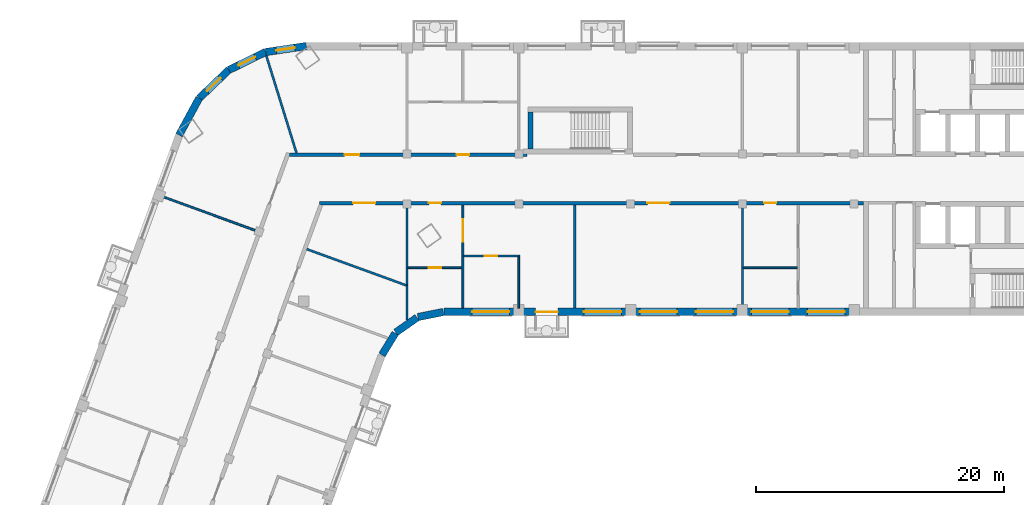
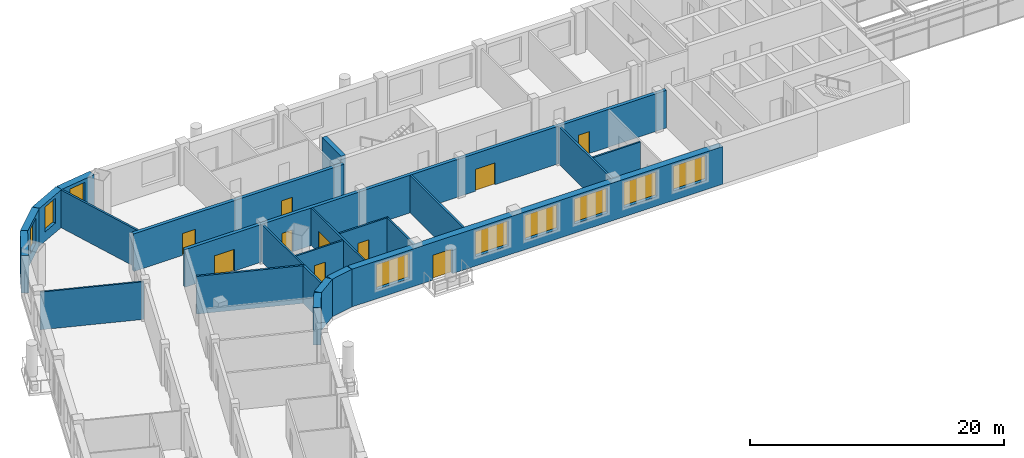
# One storey, part 6 of 12: 23 walls, 10 doors, 9 windows, 19 openings.
"""IFC4 building model written with IfcOpenShell, lengths in metres."""

from ifc_helpers import new_model, si_unit, direction, frame, frame_2d, origin, place, context, subcontext, project, spatial, rectangle, extrude, material, layer, layer_set, type_object, element, fill, save


model = new_model("IFC4")

# Units and contexts
model_context = context("Model", 3, precision=1e-05, world=origin(), true_north=direction((0.0, 1.0)))
body_context = subcontext(model_context, "Body", "Model", "MODEL_VIEW")
ifc_project = project(units=[si_unit("LENGTHUNIT", "METRE"), si_unit("AREAUNIT", "SQUARE_METRE"), si_unit("VOLUMEUNIT", "CUBIC_METRE"), si_unit("PLANEANGLEUNIT", "RADIAN"), si_unit("MASSUNIT", "GRAM", prefix="KILO")], contexts=[model_context])

# Site, building, storey
site_placement = place(None, origin())
site = spatial("IfcSite", under=ifc_project, at=site_placement, CompositionType="ELEMENT")
building_placement = place(site_placement, origin())
building = spatial("IfcBuilding", under=site, at=building_placement, Name="Skarvind Civic Tower", CompositionType="ELEMENT")
storey_placement = place(building_placement, frame((0.0, 0.0, 117.0)))
storey = spatial("IfcBuildingStorey", under=building, at=storey_placement, Name="L27", CompositionType="ELEMENT", Elevation=117.0)

# Walls
ifc_material_1 = material(Name="Acoustic gypsum board on steel studs", Category="steel")
ifc_layer_1 = layer(ifc_material_1, 0.175048828125)
ifc_layer_set_1 = layer_set([ifc_layer_1], Name="ACOUSTIC MEETING-ROOM PARTITION 175")
wall_type_1 = type_object("IfcWallType", Name="ACOUSTIC MEETING-ROOM PARTITION 175", PredefinedType="PARTITIONING", material=ifc_layer_set_1)
wall_1_placement = place(storey_placement, frame((42.919921875, 137.9208984375, 0.0), z_axis=(0.0, 0.0, 1.0), x_axis=(0.296600629622, -0.9550016055, 0.0)))
element("IfcWall", 1, at=wall_1_placement, inside=storey, type_object=wall_type_1, Name="Partition 27.011", PredefinedType="PARTITIONING", context=body_context, shape_type="SweptSolid", body=[
    extrude(rectangle(XDim=8.19677734375, YDim=0.175048828125, at=frame_2d((4.098388671875, 0.0))), origin(), (0.0, 0.0, 1.0), 3.625),
])
wall_2_placement = place(storey_placement, frame((54.25, 116.636962890625, 0.0), z_axis=(0.0, 0.0, 1.0), x_axis=(0.0, 1.0, 0.0)))
element("IfcWall", 2, at=wall_2_placement, inside=storey, type_object=wall_type_1, Name="Partition 27.017", PredefinedType="PARTITIONING", context=body_context, shape_type="SweptSolid", body=[
    extrude(rectangle(XDim=2.776123046875, YDim=0.175048828125, at=frame_2d((1.38818359375, 0.0))), origin(), (0.0, 0.0, 1.0), 3.625),
])
wall_3_placement = place(storey_placement, frame((54.320068359375, 119.384033203125, 0.0), z_axis=(0.0, 0.0, 1.0), x_axis=(-0.939632908118, 0.342184157994, 0.0)))
element("IfcWall", 3, at=wall_3_placement, inside=storey, type_object=wall_type_1, Name="Partition 27.018", PredefinedType="PARTITIONING", context=body_context, shape_type="SweptSolid", body=[
    extrude(rectangle(XDim=8.665283203125, YDim=0.175048828125, at=frame_2d((4.33251953125, 0.0))), origin(), (0.0, 0.0, 1.0), 3.625),
])
for number, where, z_axis, x_axis, name in (
    (4, (67.75, 117.60009765625, 0.0), (0.0, 0.0, 1.0), (0.0, 1.0, 0.0), "Partition 27.028"),
    (5, (81.25, 117.60009765625, 0.0), (0.0, 0.0, 1.0), (0.0, 1.0, 0.0), "Partition 27.030"),
):
    element("IfcWall", number, at=place(storey_placement, frame(where, z_axis=z_axis, x_axis=x_axis)), inside=storey, type_object=wall_type_1, Name=name, PredefinedType="PARTITIONING", context=body_context, shape_type="SweptSolid", body=[
        extrude(rectangle(XDim=8.2998046875, YDim=0.175048828125, at=frame_2d((4.14990234375, 0.0))), origin(), (0.0, 0.0, 1.0), 3.625),
    ])

# Wall, openings, doors
ifc_material_2 = material(Name="Fire-rated gypsum board on steel studs", Category="steel")
ifc_layer_2 = layer(ifc_material_2, 0.300048828125)
ifc_layer_set_2 = layer_set([ifc_layer_2], Name="CORRIDOR WALL 300")
wall_type_2 = type_object("IfcWallType", Name="CORRIDOR WALL 300", PredefinedType="PARTITIONING", material=ifc_layer_set_2)
wall_4_placement = place(storey_placement, frame((44.784912109375, 129.949951171875, 0.0), z_axis=(0.0, 0.0, 1.0), x_axis=(1.0, 0.0, 0.0)))
wall_4 = element("IfcWall", 6, at=wall_4_placement, inside=storey, type_object=wall_type_2, Name="Partition 27.014", PredefinedType="PARTITIONING", context=body_context, shape_type="SweptSolid", body=[
    extrude(rectangle(XDim=19.114990234375, YDim=0.300048828125, at=frame_2d((9.5576171875, 0.0))), origin(), (0.0, 0.0, 1.0), 3.625),
])
opening_1_placement = place(wall_4_placement, frame((13.465087890625, 0.0, 0.0)))
opening_1 = element("IfcOpeningElement", 7, at=opening_1_placement, cuts=wall_4, Name="Opening L27-D006", PredefinedType="OPENING", context=body_context, shape_type="SweptSolid", body=[
    extrude(rectangle(XDim=1.0, YDim=2.10009765625, at=frame_2d((0.5, 1.050048828125))), frame((0.0, 0.159912109375, 0.0), z_axis=(0.0, -1.0, 0.0), x_axis=(1.0, 0.0, 0.0)), (0.0, 0.0, 1.0), 0.320068359375),
])
opening_2_placement = place(wall_4_placement, frame((4.4375, 0.0, 0.0)))
opening_2 = element("IfcOpeningElement", 8, at=opening_2_placement, cuts=wall_4, Name="Opening L27-D027", PredefinedType="OPENING", context=body_context, shape_type="SweptSolid", body=[
    extrude(rectangle(XDim=1.199951171875, YDim=2.10009765625, at=frame_2d((0.60009765625, 1.050048828125))), frame((0.0, 0.159912109375, 0.0), z_axis=(0.0, -1.0, 0.0), x_axis=(1.0, 0.0, 0.0)), (0.0, 0.0, 1.0), 0.320068359375),
])
ifc_material_3 = material(Name="Fire-rated timber door leaf", Category="wood")
door_type_1 = type_object("IfcDoorType", Name="FD1 1000x2100", OperationType="NOTDEFINED", PredefinedType="DOOR", material=ifc_material_3)
door_1_placement = place(opening_1_placement, origin())
door_1 = element("IfcDoor", 9, at=door_1_placement, inside=storey, type_object=door_type_1, Name="Door L27-D006", OperationType="SINGLE_SWING_LEFT", OverallHeight=2.10009765625, OverallWidth=1.0, PredefinedType="DOOR", context=body_context, shape_type="SweptSolid", body=[
    extrude(rectangle(XDim=1.0, YDim=2.10009765625, at=frame_2d((0.5, 1.050048828125))), frame((0.0, 0.02490234375, 0.0), z_axis=(0.0, -1.0, 0.0), x_axis=(1.0, 0.0, 0.0)), (0.0, 0.0, 1.0), 0.050048828125),
])
fill(opening_1, door_1)
door_type_2 = type_object("IfcDoorType", Name="FD6 1200x2100 DOUBLE", OperationType="NOTDEFINED", PredefinedType="DOOR", material=ifc_material_3)
door_2_placement = place(opening_2_placement, origin())
door_2 = element("IfcDoor", 10, at=door_2_placement, inside=storey, type_object=door_type_2, Name="Door L27-D027", OperationType="DOUBLE_DOOR_SINGLE_SWING", OverallHeight=2.10009765625, OverallWidth=1.199951171875, PredefinedType="DOOR", context=body_context, shape_type="SweptSolid", body=[
    extrude(rectangle(XDim=1.199951171875, YDim=2.10009765625, at=frame_2d((0.60009765625, 1.050048828125))), frame((0.0, 0.02490234375, 0.0), z_axis=(0.0, -1.0, 0.0), x_axis=(1.0, 0.0, 0.0)), (0.0, 0.0, 1.0), 0.050048828125),
])
fill(opening_2, door_2)

wall_5_placement = place(storey_placement, frame((91.0, 126.050048828125, 0.0), z_axis=(0.0, 0.0, 1.0), x_axis=(-1.0, 0.0, 0.0)))
wall_5 = element("IfcWall", 11, at=wall_5_placement, inside=storey, type_object=wall_type_2, Name="Partition 27.035", PredefinedType="PARTITIONING", context=body_context, shape_type="SweptSolid", body=[
    extrude(rectangle(XDim=43.784912109375, YDim=0.300048828125, at=frame_2d((21.892578125, 0.0))), origin(), (0.0, 0.0, 1.0), 3.625),
])
opening_3_placement = place(wall_5_placement, frame((7.0, 0.0, 0.0)))
opening_3 = element("IfcOpeningElement", 12, at=opening_3_placement, cuts=wall_5, Name="Opening L27-D007", PredefinedType="OPENING", context=body_context, shape_type="SweptSolid", body=[
    extrude(rectangle(XDim=1.0, YDim=2.10009765625, at=frame_2d((0.5, 1.050048828125))), frame((0.0, 0.159912109375, 0.0), z_axis=(0.0, -1.0, 0.0), x_axis=(1.0, 0.0, 0.0)), (0.0, 0.0, 1.0), 0.320068359375),
])
opening_4_placement = place(wall_5_placement, frame((15.60009765625, 0.0, 0.0)))
opening_4 = element("IfcOpeningElement", 13, at=opening_4_placement, cuts=wall_5, Name="Opening L27-D010", PredefinedType="OPENING", context=body_context, shape_type="SweptSolid", body=[
    extrude(rectangle(XDim=1.800048828125, YDim=2.10009765625, at=frame_2d((0.89990234375, 1.050048828125))), frame((0.0, 0.159912109375, 0.0), z_axis=(0.0, -1.0, 0.0), x_axis=(1.0, 0.0, 0.0)), (0.0, 0.0, 1.0), 0.320068359375),
])
opening_5_placement = place(wall_5_placement, frame((34.0, 0.0, 0.0)))
opening_5 = element("IfcOpeningElement", 14, at=opening_5_placement, cuts=wall_5, Name="Opening L27-D011", PredefinedType="OPENING", context=body_context, shape_type="SweptSolid", body=[
    extrude(rectangle(XDim=1.0, YDim=2.10009765625, at=frame_2d((0.5, 1.050048828125))), frame((0.0, 0.159912109375, 0.0), z_axis=(0.0, -1.0, 0.0), x_axis=(1.0, 0.0, 0.0)), (0.0, 0.0, 1.0), 0.320068359375),
])
opening_6_placement = place(wall_5_placement, frame((39.2958984375, 0.0, 0.0)))
opening_6 = element("IfcOpeningElement", 15, at=opening_6_placement, cuts=wall_5, Name="Opening L27-D028", PredefinedType="OPENING", context=body_context, shape_type="SweptSolid", body=[
    extrude(rectangle(XDim=1.800048828125, YDim=2.10009765625, at=frame_2d((0.89990234375, 1.050048828125))), frame((0.0, 0.159912109375, 0.0), z_axis=(0.0, -1.0, 0.0), x_axis=(1.0, 0.0, 0.0)), (0.0, 0.0, 1.0), 0.320068359375),
])
door_3_placement = place(opening_3_placement, origin())
door_3 = element("IfcDoor", 16, at=door_3_placement, inside=storey, type_object=door_type_1, Name="Door L27-D007", OperationType="SINGLE_SWING_RIGHT", OverallHeight=2.10009765625, OverallWidth=1.0, PredefinedType="DOOR", context=body_context, shape_type="SweptSolid", body=[
    extrude(rectangle(XDim=1.0, YDim=2.10009765625, at=frame_2d((0.5, 1.050048828125))), frame((0.0, 0.02490234375, 0.0), z_axis=(0.0, -1.0, 0.0), x_axis=(1.0, 0.0, 0.0)), (0.0, 0.0, 1.0), 0.050048828125),
])
fill(opening_3, door_3)
door_4_placement = place(opening_5_placement, origin())
door_4 = element("IfcDoor", 17, at=door_4_placement, inside=storey, type_object=door_type_1, Name="Door L27-D011", OperationType="SINGLE_SWING_LEFT", OverallHeight=2.10009765625, OverallWidth=1.0, PredefinedType="DOOR", context=body_context, shape_type="SweptSolid", body=[
    extrude(rectangle(XDim=1.0, YDim=2.10009765625, at=frame_2d((0.5, 1.050048828125))), frame((0.0, 0.02490234375, 0.0), z_axis=(0.0, -1.0, 0.0), x_axis=(1.0, 0.0, 0.0)), (0.0, 0.0, 1.0), 0.050048828125),
])
fill(opening_5, door_4)
door_type_3 = type_object("IfcDoorType", Name="FD4 1800x2100", OperationType="NOTDEFINED", PredefinedType="DOOR", material=ifc_material_3)
door_5_placement = place(opening_4_placement, origin())
door_5 = element("IfcDoor", 18, at=door_5_placement, inside=storey, type_object=door_type_3, Name="Door L27-D010", OperationType="DOUBLE_DOOR_SINGLE_SWING", OverallHeight=2.10009765625, OverallWidth=1.800048828125, PredefinedType="DOOR", context=body_context, shape_type="SweptSolid", body=[
    extrude(rectangle(XDim=1.800048828125, YDim=2.10009765625, at=frame_2d((0.89990234375, 1.050048828125))), frame((0.0, 0.02490234375, 0.0), z_axis=(0.0, -1.0, 0.0), x_axis=(1.0, 0.0, 0.0)), (0.0, 0.0, 1.0), 0.050048828125),
])
fill(opening_4, door_5)
door_6_placement = place(opening_6_placement, origin())
door_6 = element("IfcDoor", 19, at=door_6_placement, inside=storey, type_object=door_type_3, Name="Door L27-D028", OperationType="DOUBLE_DOOR_SINGLE_SWING", OverallHeight=2.10009765625, OverallWidth=1.800048828125, PredefinedType="DOOR", context=body_context, shape_type="SweptSolid", body=[
    extrude(rectangle(XDim=1.800048828125, YDim=2.10009765625, at=frame_2d((0.89990234375, 1.050048828125))), frame((0.0, 0.02490234375, 0.0), z_axis=(0.0, -1.0, 0.0), x_axis=(1.0, 0.0, 0.0)), (0.0, 0.0, 1.0), 0.050048828125),
])
fill(opening_6, door_6)

# Walls
ifc_material_4 = material(Name="Concrete C80", Category="concrete")
ifc_layer_3 = layer(ifc_material_4, 0.39990234375)
ifc_layer_set_3 = layer_set([ifc_layer_3], Name="Core wall 400 C80")
wall_type_3 = type_object("IfcWallType", Name="Core wall 400 C80", PredefinedType="SHEAR", material=ifc_layer_set_3)
wall_6_placement = place(storey_placement, frame((64.199951171875, 130.39990234375, 0.0), z_axis=(0.0, 0.0, 1.0), x_axis=(0.0, 1.0, 0.0)))
element("IfcWall", 20, at=wall_6_placement, inside=storey, type_object=wall_type_3, Name="Core wall CM west L27", PredefinedType="SHEAR", context=body_context, shape_type="SweptSolid", body=[
    extrude(rectangle(XDim=3.0, YDim=0.39990234375, at=frame_2d((1.5, 0.0))), origin(), (0.0, 0.0, 1.0), 4.0),
])
ifc_material_5 = material(Name="Plasterboard partition on steel studs", Category="steel")
ifc_layer_4 = layer(ifc_material_5, 0.14990234375)
ifc_layer_set_4 = layer_set([ifc_layer_4], Name="PARTITION 150")
wall_type_4 = type_object("IfcWallType", Name="PARTITION 150", PredefinedType="PARTITIONING", material=ifc_layer_set_4)
wall_7_placement = place(storey_placement, frame((42.23095703125, 123.784912109375, 0.0), z_axis=(0.0, 0.0, 1.0), x_axis=(-0.939687752599, 0.342033518263, 0.0)))
element("IfcWall", 21, at=wall_7_placement, inside=storey, type_object=wall_type_4, Name="Partition 27.010", PredefinedType="PARTITIONING", context=body_context, shape_type="SweptSolid", body=[
    extrude(rectangle(XDim=8.30078125, YDim=0.14990234375, at=frame_2d((4.150390625, 0.0))), origin(), (0.0, 0.0, 1.0), 3.625),
])
wall_8_placement = place(storey_placement, frame((54.25, 119.498046875, 0.0), z_axis=(0.0, 0.0, 1.0), x_axis=(0.0, 1.0, 0.0)))
element("IfcWall", 22, at=wall_8_placement, inside=storey, type_object=wall_type_4, Name="Partition 27.019", PredefinedType="PARTITIONING", context=body_context, shape_type="SweptSolid", body=[
    extrude(rectangle(XDim=6.40185546875, YDim=0.14990234375, at=frame_2d((3.200927734375, 0.0))), origin(), (0.0, 0.0, 1.0), 3.625),
])

# Wall, opening, door
wall_9_placement = place(storey_placement, frame((54.324951171875, 120.85009765625, 0.0), z_axis=(0.0, 0.0, 1.0), x_axis=(1.0, 0.0, 0.0)))
wall_9 = element("IfcWall", 23, at=wall_9_placement, inside=storey, type_object=wall_type_4, Name="Partition 27.020", PredefinedType="PARTITIONING", context=body_context, shape_type="SweptSolid", body=[
    extrude(rectangle(XDim=4.35009765625, YDim=0.14990234375, at=frame_2d((2.175048828125, 0.0))), origin(), (0.0, 0.0, 1.0), 3.625),
])
opening_7_placement = place(wall_9_placement, frame((1.675048828125, 0.0, 0.0)))
opening_7 = element("IfcOpeningElement", 24, at=opening_7_placement, cuts=wall_9, Name="Opening L27-D013", PredefinedType="OPENING", context=body_context, shape_type="SweptSolid", body=[
    extrude(rectangle(XDim=1.0, YDim=2.10009765625, at=frame_2d((0.5, 1.050048828125))), frame((0.0, 0.0849609375, 0.0), z_axis=(0.0, -1.0, 0.0), x_axis=(1.0, 0.0, 0.0)), (0.0, 0.0, 1.0), 0.169921875),
])
ifc_material_6 = material(Name="Timber door leaf", Category="wood")
door_type_4 = type_object("IfcDoorType", Name="D1 1000x2100", OperationType="NOTDEFINED", PredefinedType="DOOR", material=ifc_material_6)
door_7_placement = place(opening_7_placement, origin())
door_7 = element("IfcDoor", 25, at=door_7_placement, inside=storey, type_object=door_type_4, Name="Door L27-D013", OperationType="SINGLE_SWING_LEFT", OverallHeight=2.10009765625, OverallWidth=1.0, PredefinedType="DOOR", context=body_context, shape_type="SweptSolid", body=[
    extrude(rectangle(XDim=1.0, YDim=2.10009765625, at=frame_2d((0.5, 1.050048828125))), frame((0.0, 0.02490234375, 0.0), z_axis=(0.0, -1.0, 0.0), x_axis=(1.0, 0.0, 0.0)), (0.0, 0.0, 1.0), 0.050048828125),
])
fill(opening_7, door_7)

wall_10_placement = place(storey_placement, frame((58.75, 117.60009765625, 0.0), z_axis=(0.0, 0.0, 1.0), x_axis=(0.0, 1.0, 0.0)))
wall_10 = element("IfcWall", 26, at=wall_10_placement, inside=storey, type_object=wall_type_4, Name="Partition 27.023", PredefinedType="PARTITIONING", context=body_context, shape_type="SweptSolid", body=[
    extrude(rectangle(XDim=8.2998046875, YDim=0.14990234375, at=frame_2d((4.14990234375, 0.0))), origin(), (0.0, 0.0, 1.0), 3.625),
])
opening_8_placement = place(wall_10_placement, frame((5.360107421875, 0.0, 0.0)))
opening_8 = element("IfcOpeningElement", 27, at=opening_8_placement, cuts=wall_10, Name="Opening L27-D014", PredefinedType="OPENING", context=body_context, shape_type="SweptSolid", body=[
    extrude(rectangle(XDim=1.800048828125, YDim=2.10009765625, at=frame_2d((0.89990234375, 1.050048828125))), frame((0.0, 0.0849609375, 0.0), z_axis=(0.0, -1.0, 0.0), x_axis=(1.0, 0.0, 0.0)), (0.0, 0.0, 1.0), 0.169921875),
])
door_type_5 = type_object("IfcDoorType", Name="D4 1800x2100", OperationType="NOTDEFINED", PredefinedType="DOOR", material=ifc_material_6)
door_8_placement = place(opening_8_placement, origin())
door_8 = element("IfcDoor", 28, at=door_8_placement, inside=storey, type_object=door_type_5, Name="Door L27-D014", OperationType="DOUBLE_DOOR_SINGLE_SWING", OverallHeight=2.10009765625, OverallWidth=1.800048828125, PredefinedType="DOOR", context=body_context, shape_type="SweptSolid", body=[
    extrude(rectangle(XDim=1.800048828125, YDim=2.10009765625, at=frame_2d((0.89990234375, 1.050048828125))), frame((0.0, 0.02490234375, 0.0), z_axis=(0.0, -1.0, 0.0), x_axis=(1.0, 0.0, 0.0)), (0.0, 0.0, 1.0), 0.050048828125),
])
fill(opening_8, door_8)

# Wall
wall_11_placement = place(storey_placement, frame((63.25, 117.60009765625, 0.0), z_axis=(0.0, 0.0, 1.0), x_axis=(0.0, 1.0, 0.0)))
element("IfcWall", 29, at=wall_11_placement, inside=storey, type_object=wall_type_4, Name="Partition 27.025", PredefinedType="PARTITIONING", context=body_context, shape_type="SweptSolid", body=[
    extrude(rectangle(XDim=4.125, YDim=0.14990234375, at=frame_2d((2.0625, 0.0))), origin(), (0.0, 0.0, 1.0), 3.625),
])

# Wall, opening, door
wall_12_placement = place(storey_placement, frame((58.824951171875, 121.800048828125, 0.0), z_axis=(0.0, 0.0, 1.0), x_axis=(1.0, 0.0, 0.0)))
wall_12 = element("IfcWall", 30, at=wall_12_placement, inside=storey, type_object=wall_type_4, Name="Partition 27.026", PredefinedType="PARTITIONING", context=body_context, shape_type="SweptSolid", body=[
    extrude(rectangle(XDim=4.5, YDim=0.14990234375, at=frame_2d((2.25, 0.0))), origin(), (0.0, 0.0, 1.0), 3.625),
])
opening_9_placement = place(wall_12_placement, frame((1.702392578125, 0.0, 0.0)))
opening_9 = element("IfcOpeningElement", 31, at=opening_9_placement, cuts=wall_12, Name="Opening L27-D012", PredefinedType="OPENING", context=body_context, shape_type="SweptSolid", body=[
    extrude(rectangle(XDim=1.0, YDim=2.10009765625, at=frame_2d((0.5, 1.050048828125))), frame((0.0, 0.0849609375, 0.0), z_axis=(0.0, -1.0, 0.0), x_axis=(1.0, 0.0, 0.0)), (0.0, 0.0, 1.0), 0.169921875),
])
door_9_placement = place(opening_9_placement, origin())
door_9 = element("IfcDoor", 32, at=door_9_placement, inside=storey, type_object=door_type_4, Name="Door L27-D012", OperationType="SINGLE_SWING_LEFT", OverallHeight=2.10009765625, OverallWidth=1.0, PredefinedType="DOOR", context=body_context, shape_type="SweptSolid", body=[
    extrude(rectangle(XDim=1.0, YDim=2.10009765625, at=frame_2d((0.5, 1.050048828125))), frame((0.0, 0.02490234375, 0.0), z_axis=(0.0, -1.0, 0.0), x_axis=(1.0, 0.0, 0.0)), (0.0, 0.0, 1.0), 0.050048828125),
])
fill(opening_9, door_9)

# Walls
wall_13_placement = place(storey_placement, frame((81.337890625, 120.85009765625, 0.0), z_axis=(0.0, 0.0, 1.0), x_axis=(1.0, 0.0, 0.0)))
element("IfcWall", 33, at=wall_13_placement, inside=storey, type_object=wall_type_4, Name="Partition 27.031", PredefinedType="PARTITIONING", context=body_context, shape_type="SweptSolid", body=[
    extrude(rectangle(XDim=4.337158203125, YDim=0.14990234375, at=frame_2d((2.16845703125, 0.0))), origin(), (0.0, 0.0, 1.0), 3.625),
])
ifc_material_7 = material(Name="Limestone masonry cladding on insulated backing", Category="masonry")
ifc_layer_5 = layer(ifc_material_7, 0.60009765625)
ifc_layer_set_5 = layer_set([ifc_layer_5], Name="WX1 STONE FACADE WALL 600")
wall_type_5 = type_object("IfcWallType", Name="WX1 STONE FACADE WALL 600", PredefinedType="SOLIDWALL", material=ifc_layer_set_5)
wall_14_placement = place(storey_placement, frame((53.30517578125, 115.578369140625, 0.0), z_axis=(0.0, 0.0, 1.0), x_axis=(-0.522402266438, -0.852699168535, 0.0)))
element("IfcWall", 34, at=wall_14_placement, inside=storey, type_object=wall_type_5, Name="STONE FACADE WALL", PredefinedType="SOLIDWALL", context=body_context, shape_type="SweptSolid", body=[
    extrude(rectangle(XDim=2.042236328125, YDim=0.60009765625, at=frame_2d((1.02099609375, 0.0))), origin(), (0.0, 0.0, 1.0), 3.625),
])
for number, where, z_axis, x_axis, name in (
    (35, (55.061767578125, 116.8388671875, 0.0), (0.0, 0.0, 1.0), (-0.819122269495, -0.573618956815, 0.0), "STONE FACADE WALL"),
    (36, (57.17529296875, 117.2939453125, 0.0), (0.0, 0.0, 1.0), (-0.97996099083, -0.19918949885, 0.0), "STONE FACADE WALL"),
):
    element("IfcWall", number, at=place(storey_placement, frame(where, z_axis=z_axis, x_axis=x_axis)), inside=storey, type_object=wall_type_5, Name=name, PredefinedType="SOLIDWALL", context=body_context, shape_type="SweptSolid", body=[
        extrude(rectangle(XDim=2.09228515625, YDim=0.60009765625, at=frame_2d((1.046142578125, 0.0))), origin(), (0.0, 0.0, 1.0), 3.625),
    ])

# Wall, openings, door, windows
wall_15_placement = place(storey_placement, frame((90.97998046875, 117.300048828125, 0.0), z_axis=(0.0, 0.0, 1.0), x_axis=(-1.0, 0.0, 0.0)))
wall_15 = element("IfcWall", 37, at=wall_15_placement, inside=storey, type_object=wall_type_5, Name="STONE FACADE WALL", PredefinedType="SOLIDWALL", context=body_context, shape_type="SweptSolid", body=[
    extrude(rectangle(XDim=33.744873046875, YDim=0.60009765625, at=frame_2d((16.87255859375, 0.0))), origin(), (0.0, 0.0, 1.0), 3.625),
])
opening_10_placement = place(wall_15_placement, frame((1.47998046875, 0.0, 0.89990234375)))
opening_10 = element("IfcOpeningElement", 38, at=opening_10_placement, cuts=wall_15, Name="Opening WN1", PredefinedType="OPENING", context=body_context, shape_type="SweptSolid", body=[
    extrude(rectangle(XDim=3.0, YDim=2.39990234375, at=frame_2d((1.5, 1.199951171875))), frame((0.0, 0.31005859375, 0.0), z_axis=(0.0, -1.0, 0.0), x_axis=(1.0, 0.0, 0.0)), (0.0, 0.0, 1.0), 0.6201171875),
])
opening_11_placement = place(wall_15_placement, frame((5.97998046875, 0.0, 0.89990234375)))
opening_11 = element("IfcOpeningElement", 39, at=opening_11_placement, cuts=wall_15, Name="Opening WN1", PredefinedType="OPENING", context=body_context, shape_type="SweptSolid", body=[
    extrude(rectangle(XDim=3.0, YDim=2.39990234375, at=frame_2d((1.5, 1.199951171875))), frame((0.0, 0.31005859375, 0.0), z_axis=(0.0, -1.0, 0.0), x_axis=(1.0, 0.0, 0.0)), (0.0, 0.0, 1.0), 0.6201171875),
])
opening_12_placement = place(wall_15_placement, frame((10.47998046875, 0.0, 0.89990234375)))
opening_12 = element("IfcOpeningElement", 40, at=opening_12_placement, cuts=wall_15, Name="Opening WN1", PredefinedType="OPENING", context=body_context, shape_type="SweptSolid", body=[
    extrude(rectangle(XDim=3.0, YDim=2.39990234375, at=frame_2d((1.5, 1.199951171875))), frame((0.0, 0.31005859375, 0.0), z_axis=(0.0, -1.0, 0.0), x_axis=(1.0, 0.0, 0.0)), (0.0, 0.0, 1.0), 0.6201171875),
])
opening_13_placement = place(wall_15_placement, frame((14.97998046875, 0.0, 0.89990234375)))
opening_13 = element("IfcOpeningElement", 41, at=opening_13_placement, cuts=wall_15, Name="Opening WN1", PredefinedType="OPENING", context=body_context, shape_type="SweptSolid", body=[
    extrude(rectangle(XDim=3.0, YDim=2.39990234375, at=frame_2d((1.5, 1.199951171875))), frame((0.0, 0.31005859375, 0.0), z_axis=(0.0, -1.0, 0.0), x_axis=(1.0, 0.0, 0.0)), (0.0, 0.0, 1.0), 0.6201171875),
])
opening_14_placement = place(wall_15_placement, frame((19.47998046875, 0.0, 0.89990234375)))
opening_14 = element("IfcOpeningElement", 42, at=opening_14_placement, cuts=wall_15, Name="Opening WN1", PredefinedType="OPENING", context=body_context, shape_type="SweptSolid", body=[
    extrude(rectangle(XDim=3.0, YDim=2.39990234375, at=frame_2d((1.5, 1.199951171875))), frame((0.0, 0.31005859375, 0.0), z_axis=(0.0, -1.0, 0.0), x_axis=(1.0, 0.0, 0.0)), (0.0, 0.0, 1.0), 0.6201171875),
])
opening_15_placement = place(wall_15_placement, frame((24.580078125, 0.0, 0.0)))
opening_15 = element("IfcOpeningElement", 43, at=opening_15_placement, cuts=wall_15, Name="Opening DX3", PredefinedType="OPENING", context=body_context, shape_type="SweptSolid", body=[
    extrude(rectangle(XDim=1.800048828125, YDim=2.39990234375, at=frame_2d((0.89990234375, 1.199951171875))), frame((0.0, 0.31005859375, 0.0), z_axis=(0.0, -1.0, 0.0), x_axis=(1.0, 0.0, 0.0)), (0.0, 0.0, 1.0), 0.6201171875),
])
opening_16_placement = place(wall_15_placement, frame((28.47998046875, 0.0, 0.89990234375)))
opening_16 = element("IfcOpeningElement", 44, at=opening_16_placement, cuts=wall_15, Name="Opening WN1", PredefinedType="OPENING", context=body_context, shape_type="SweptSolid", body=[
    extrude(rectangle(XDim=3.0, YDim=2.39990234375, at=frame_2d((1.5, 1.199951171875))), frame((0.0, 0.31005859375, 0.0), z_axis=(0.0, -1.0, 0.0), x_axis=(1.0, 0.0, 0.0)), (0.0, 0.0, 1.0), 0.6201171875),
])
ifc_material_8 = material(Name="Timber and glass doorset", Category="wood")
door_type_6 = type_object("IfcDoorType", Name="DX3 TERRACE DOORS 1800 x 2400", OperationType="NOTDEFINED", PredefinedType="DOOR", material=ifc_material_8)
door_10_placement = place(opening_15_placement, origin())
door_10 = element("IfcDoor", 45, at=door_10_placement, inside=storey, type_object=door_type_6, Name="TERRACE DOORS", OperationType="DOUBLE_DOOR_SINGLE_SWING", OverallHeight=2.39990234375, OverallWidth=1.800048828125, PredefinedType="DOOR", context=body_context, shape_type="SweptSolid", body=[
    extrude(rectangle(XDim=1.800048828125, YDim=2.39990234375, at=frame_2d((0.89990234375, 1.199951171875))), frame((0.0, 0.02490234375, 0.0), z_axis=(0.0, -1.0, 0.0), x_axis=(1.0, 0.0, 0.0)), (0.0, 0.0, 1.0), 0.050048828125),
])
fill(opening_15, door_10)
ifc_material_9 = material(Name="Timber frame, double glazing, timber-lined reveal", Category="wood")
window_type_1 = type_object("IfcWindowType", Name="WN1 PUNCHED STONE WINDOW 3000 x 2400", PartitioningType="SINGLE_PANEL", PredefinedType="WINDOW", material=ifc_material_9)
window_1_placement = place(opening_10_placement, origin())
window_1 = element("IfcWindow", 46, at=window_1_placement, inside=storey, type_object=window_type_1, Name="WN1 WINDOW", OverallHeight=2.39990234375, OverallWidth=3.0, PartitioningType="SINGLE_PANEL", PredefinedType="WINDOW", context=body_context, shape_type="SweptSolid", body=[
    extrude(rectangle(XDim=3.0, YDim=2.39990234375, at=frame_2d((1.5, 1.199951171875))), frame((0.0, 0.030029296875, 0.0), z_axis=(0.0, -1.0, 0.0), x_axis=(1.0, 0.0, 0.0)), (0.0, 0.0, 1.0), 0.06005859375),
])
fill(opening_10, window_1)
window_2_placement = place(opening_11_placement, origin())
window_2 = element("IfcWindow", 47, at=window_2_placement, inside=storey, type_object=window_type_1, Name="WN1 WINDOW", OverallHeight=2.39990234375, OverallWidth=3.0, PartitioningType="SINGLE_PANEL", PredefinedType="WINDOW", context=body_context, shape_type="SweptSolid", body=[
    extrude(rectangle(XDim=3.0, YDim=2.39990234375, at=frame_2d((1.5, 1.199951171875))), frame((0.0, 0.030029296875, 0.0), z_axis=(0.0, -1.0, 0.0), x_axis=(1.0, 0.0, 0.0)), (0.0, 0.0, 1.0), 0.06005859375),
])
fill(opening_11, window_2)
window_3_placement = place(opening_12_placement, origin())
window_3 = element("IfcWindow", 48, at=window_3_placement, inside=storey, type_object=window_type_1, Name="WN1 WINDOW", OverallHeight=2.39990234375, OverallWidth=3.0, PartitioningType="SINGLE_PANEL", PredefinedType="WINDOW", context=body_context, shape_type="SweptSolid", body=[
    extrude(rectangle(XDim=3.0, YDim=2.39990234375, at=frame_2d((1.5, 1.199951171875))), frame((0.0, 0.030029296875, 0.0), z_axis=(0.0, -1.0, 0.0), x_axis=(1.0, 0.0, 0.0)), (0.0, 0.0, 1.0), 0.06005859375),
])
fill(opening_12, window_3)
window_4_placement = place(opening_13_placement, origin())
window_4 = element("IfcWindow", 49, at=window_4_placement, inside=storey, type_object=window_type_1, Name="WN1 WINDOW", OverallHeight=2.39990234375, OverallWidth=3.0, PartitioningType="SINGLE_PANEL", PredefinedType="WINDOW", context=body_context, shape_type="SweptSolid", body=[
    extrude(rectangle(XDim=3.0, YDim=2.39990234375, at=frame_2d((1.5, 1.199951171875))), frame((0.0, 0.030029296875, 0.0), z_axis=(0.0, -1.0, 0.0), x_axis=(1.0, 0.0, 0.0)), (0.0, 0.0, 1.0), 0.06005859375),
])
fill(opening_13, window_4)
window_5_placement = place(opening_14_placement, origin())
window_5 = element("IfcWindow", 50, at=window_5_placement, inside=storey, type_object=window_type_1, Name="WN1 WINDOW", OverallHeight=2.39990234375, OverallWidth=3.0, PartitioningType="SINGLE_PANEL", PredefinedType="WINDOW", context=body_context, shape_type="SweptSolid", body=[
    extrude(rectangle(XDim=3.0, YDim=2.39990234375, at=frame_2d((1.5, 1.199951171875))), frame((0.0, 0.030029296875, 0.0), z_axis=(0.0, -1.0, 0.0), x_axis=(1.0, 0.0, 0.0)), (0.0, 0.0, 1.0), 0.06005859375),
])
fill(opening_14, window_5)
window_6_placement = place(opening_16_placement, origin())
window_6 = element("IfcWindow", 51, at=window_6_placement, inside=storey, type_object=window_type_1, Name="WN1 WINDOW", OverallHeight=2.39990234375, OverallWidth=3.0, PartitioningType="SINGLE_PANEL", PredefinedType="WINDOW", context=body_context, shape_type="SweptSolid", body=[
    extrude(rectangle(XDim=3.0, YDim=2.39990234375, at=frame_2d((1.5, 1.199951171875))), frame((0.0, 0.030029296875, 0.0), z_axis=(0.0, -1.0, 0.0), x_axis=(1.0, 0.0, 0.0)), (0.0, 0.0, 1.0), 0.06005859375),
])
fill(opening_16, window_6)

# Wall, opening, window
wall_16_placement = place(storey_placement, frame((42.872802734375, 138.21728515625, 0.0), z_axis=(0.0, 0.0, 1.0), x_axis=(0.989110792192, 0.14717282619, 0.0)))
wall_16 = element("IfcWall", 52, at=wall_16_placement, inside=storey, type_object=wall_type_5, Name="STONE FACADE WALL", PredefinedType="SOLIDWALL", context=body_context, shape_type="SweptSolid", body=[
    extrude(rectangle(XDim=3.302734375, YDim=0.60009765625, at=frame_2d((1.6513671875, 0.0))), origin(), (0.0, 0.0, 1.0), 3.625),
])
opening_17_placement = place(wall_16_placement, frame((0.8564453125, 0.0, 0.89990234375)))
opening_17 = element("IfcOpeningElement", 53, at=opening_17_placement, cuts=wall_16, Name="Opening WN8", PredefinedType="OPENING", context=body_context, shape_type="SweptSolid", body=[
    extrude(rectangle(XDim=1.5, YDim=2.39990234375, at=frame_2d((0.75, 1.199951171875))), frame((0.0, 0.31005859375, 0.0), z_axis=(0.0, -1.0, 0.0), x_axis=(1.0, 0.0, 0.0)), (0.0, 0.0, 1.0), 0.6201171875),
])
window_type_2 = type_object("IfcWindowType", Name="WN8 ARC BAY WINDOW 1500 x 2400", PartitioningType="SINGLE_PANEL", PredefinedType="WINDOW", material=ifc_material_9)
window_7_placement = place(opening_17_placement, origin())
window_7 = element("IfcWindow", 54, at=window_7_placement, inside=storey, type_object=window_type_2, Name="WN8 WINDOW", OverallHeight=2.39990234375, OverallWidth=1.5, PartitioningType="SINGLE_PANEL", PredefinedType="WINDOW", context=body_context, shape_type="SweptSolid", body=[
    extrude(rectangle(XDim=1.5, YDim=2.39990234375, at=frame_2d((0.75, 1.199951171875))), frame((0.0, 0.030029296875, 0.0), z_axis=(0.0, -1.0, 0.0), x_axis=(1.0, 0.0, 0.0)), (0.0, 0.0, 1.0), 0.06005859375),
])
fill(opening_17, window_7)

wall_17_placement = place(storey_placement, frame((39.9072265625, 136.77587890625, 0.0), z_axis=(0.0, 0.0, 1.0), x_axis=(0.89761231107, 0.440785819889, 0.0)))
wall_17 = element("IfcWall", 55, at=wall_17_placement, inside=storey, type_object=wall_type_5, Name="STONE FACADE WALL", PredefinedType="SOLIDWALL", context=body_context, shape_type="SweptSolid", body=[
    extrude(rectangle(XDim=3.302734375, YDim=0.60009765625, at=frame_2d((1.6513671875, 0.0))), origin(), (0.0, 0.0, 1.0), 3.625),
])
opening_18_placement = place(wall_17_placement, frame((0.8564453125, 0.0, 0.89990234375)))
opening_18 = element("IfcOpeningElement", 56, at=opening_18_placement, cuts=wall_17, Name="Opening WN8", PredefinedType="OPENING", context=body_context, shape_type="SweptSolid", body=[
    extrude(rectangle(XDim=1.5, YDim=2.39990234375, at=frame_2d((0.75, 1.199951171875))), frame((0.0, 0.31005859375, 0.0), z_axis=(0.0, -1.0, 0.0), x_axis=(1.0, 0.0, 0.0)), (0.0, 0.0, 1.0), 0.6201171875),
])
window_8_placement = place(opening_18_placement, origin())
window_8 = element("IfcWindow", 57, at=window_8_placement, inside=storey, type_object=window_type_2, Name="WN8 WINDOW", OverallHeight=2.39990234375, OverallWidth=1.5, PartitioningType="SINGLE_PANEL", PredefinedType="WINDOW", context=body_context, shape_type="SweptSolid", body=[
    extrude(rectangle(XDim=1.5, YDim=2.39990234375, at=frame_2d((0.75, 1.199951171875))), frame((0.0, 0.030029296875, 0.0), z_axis=(0.0, -1.0, 0.0), x_axis=(1.0, 0.0, 0.0)), (0.0, 0.0, 1.0), 0.06005859375),
])
fill(opening_18, window_8)

wall_18_placement = place(storey_placement, frame((37.520263671875, 134.501220703125, 0.0), z_axis=(0.0, 0.0, 1.0), x_axis=(0.72115684486, 0.692771827596, 0.0)))
wall_18 = element("IfcWall", 58, at=wall_18_placement, inside=storey, type_object=wall_type_5, Name="STONE FACADE WALL", PredefinedType="SOLIDWALL", context=body_context, shape_type="SweptSolid", body=[
    extrude(rectangle(XDim=3.302734375, YDim=0.60009765625, at=frame_2d((1.6513671875, 0.0))), origin(), (0.0, 0.0, 1.0), 3.625),
])
opening_19_placement = place(wall_18_placement, frame((0.8564453125, 0.0, 0.89990234375)))
opening_19 = element("IfcOpeningElement", 59, at=opening_19_placement, cuts=wall_18, Name="Opening WN8", PredefinedType="OPENING", context=body_context, shape_type="SweptSolid", body=[
    extrude(rectangle(XDim=1.5, YDim=2.39990234375, at=frame_2d((0.75, 1.199951171875))), frame((0.0, 0.31005859375, 0.0), z_axis=(0.0, -1.0, 0.0), x_axis=(1.0, 0.0, 0.0)), (0.0, 0.0, 1.0), 0.6201171875),
])
window_9_placement = place(opening_19_placement, origin())
window_9 = element("IfcWindow", 60, at=window_9_placement, inside=storey, type_object=window_type_2, Name="WN8 WINDOW", OverallHeight=2.39990234375, OverallWidth=1.5, PartitioningType="SINGLE_PANEL", PredefinedType="WINDOW", context=body_context, shape_type="SweptSolid", body=[
    extrude(rectangle(XDim=1.5, YDim=2.39990234375, at=frame_2d((0.75, 1.199951171875))), frame((0.0, 0.030029296875, 0.0), z_axis=(0.0, -1.0, 0.0), x_axis=(1.0, 0.0, 0.0)), (0.0, 0.0, 1.0), 0.06005859375),
])
fill(opening_19, window_9)

# Wall
wall_19_placement = place(storey_placement, frame((35.89453125, 131.529541015625, 0.0), z_axis=(0.0, 0.0, 1.0), x_axis=(0.476531180538, 0.879157570618, 0.0)))
element("IfcWall", 61, at=wall_19_placement, inside=storey, type_object=wall_type_5, Name="STONE FACADE WALL", PredefinedType="SOLIDWALL", context=body_context, shape_type="SweptSolid", body=[
    extrude(rectangle(XDim=3.392578125, YDim=0.60009765625, at=frame_2d((1.6962890625, 0.0))), origin(), (0.0, 0.0, 1.0), 3.625),
])

save(model, "model.ifc")
